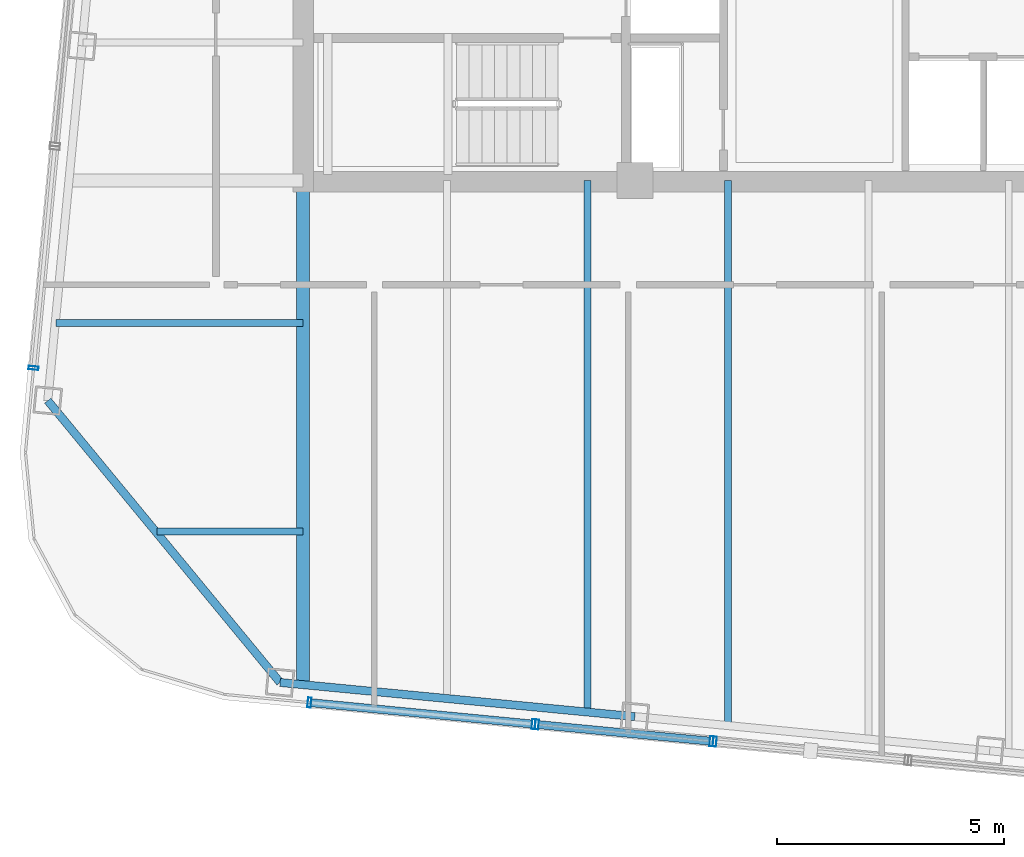
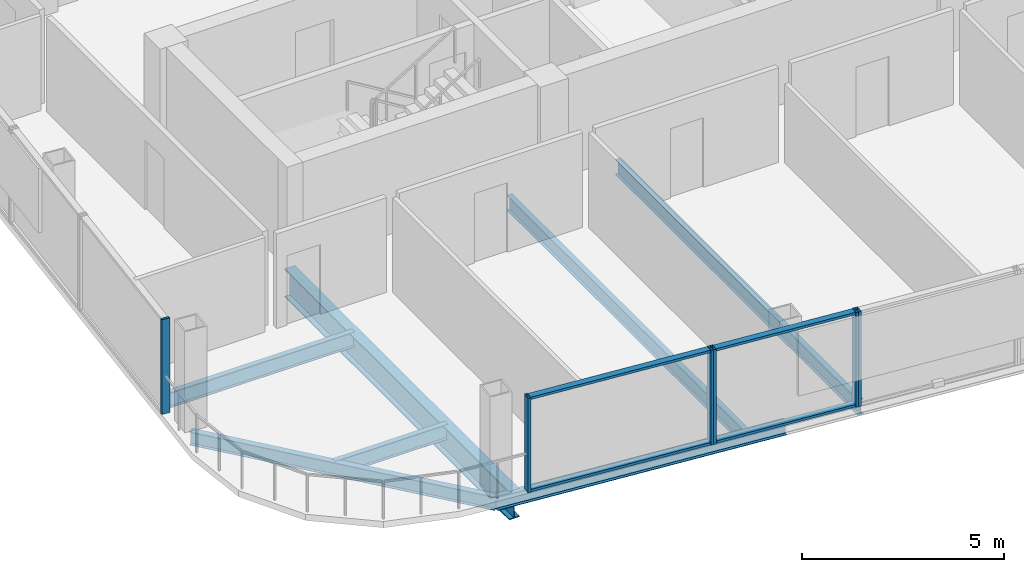
# One storey, part 2 of 22: 10 members, 7 beams, 4 elements without a shape of their own.
"""IFC4 building model written with IfcOpenShell, lengths in metres."""

from ifc_helpers import new_model, si_unit, direction, frame, origin, origin_2d, place, context, subcontext, project, spatial, hollow_rectangle, i_section, extrude, material, layer, layer_set, material_profile, profile_set, type_object, element, aggregate, save


model = new_model("IFC4")

# Units and contexts
model_context = context("Model", 3, precision=1e-05, world=origin(), true_north=direction((0.0, 1.0)))
body_context = subcontext(model_context, "Body", "Model", "MODEL_VIEW")
ifc_project = project(units=[si_unit("LENGTHUNIT", "METRE"), si_unit("AREAUNIT", "SQUARE_METRE"), si_unit("VOLUMEUNIT", "CUBIC_METRE"), si_unit("PLANEANGLEUNIT", "RADIAN"), si_unit("MASSUNIT", "GRAM", prefix="KILO")], contexts=[model_context])

# Site, building, storey
site_placement = place(None, origin())
site = spatial("IfcSite", under=ifc_project, at=site_placement, CompositionType="ELEMENT")
building_placement = place(site_placement, origin())
building = spatial("IfcBuilding", under=site, at=building_placement, Name="Qhalaya Broadcast Tower", CompositionType="ELEMENT")
storey_placement = place(building_placement, frame((0.0, 0.0, 252.0)))
storey = spatial("IfcBuildingStorey", under=building, at=storey_placement, Name="L74", CompositionType="ELEMENT", Elevation=252.0)

# Beams
ifc_material_1 = material(Name="Structural Steel ASTM A992 Grade 50", Category="steel")
ifc_material_profile_1 = material_profile(ifc_material_1, i_section(OverallWidth=0.154052734375, OverallDepth=0.458984375, WebThickness=0.009033203125, FlangeThickness=0.015380859375, at=origin_2d()), Name="W18X46")
ifc_profile_set_1 = profile_set([ifc_material_profile_1], Name="Structural Steel ASTM A992 Grade 50")
beam_type_1 = type_object("IfcBeamType", Name="Composite Floor Joist J04", PredefinedType="JOIST", material=ifc_profile_set_1)
beam_1_placement = place(storey_placement, frame((-3.10009765625, -20.46142578125, -0.41943359375), z_axis=(0.0, 1.0, 0.0), x_axis=(-1.0, 0.0, 0.0)))
element("IfcBeam", 1, at=beam_1_placement, inside=storey, type_object=beam_type_1, Name="L74 J04 L74-JNS2-1", PredefinedType="JOIST", context=body_context, shape_type="SweptSolid", body=[
    extrude(i_section(OverallWidth=0.154052734375, OverallDepth=0.458984375, WebThickness=0.009033203125, FlangeThickness=0.015380859375, at=origin_2d()), origin(), (0.0, 0.0, 1.0), 11.71142578125),
])
beam_2_placement = place(storey_placement, frame((0.0, -20.760009765625, -0.41943359375), z_axis=(0.0, 1.0, 0.0), x_axis=(-1.0, 0.0, 0.0)))
element("IfcBeam", 2, at=beam_2_placement, inside=storey, type_object=beam_type_1, Name="L74 J04 L74-JNS3-1", PredefinedType="JOIST", context=body_context, shape_type="SweptSolid", body=[
    extrude(i_section(OverallWidth=0.154052734375, OverallDepth=0.458984375, WebThickness=0.009033203125, FlangeThickness=0.015380859375, at=origin_2d()), origin(), (0.0, 0.0, 1.0), 12.010009765625),
])
beam_3_placement = place(storey_placement, frame((-12.600830078125, -16.5, -0.41943359375), z_axis=(1.0, 0.0, 0.0), x_axis=(0.0, 1.0, 0.0)))
element("IfcBeam", 3, at=beam_3_placement, inside=storey, type_object=beam_type_1, Name="L74 J04 L74-JWE1W-1", PredefinedType="JOIST", context=body_context, shape_type="SweptSolid", body=[
    extrude(i_section(OverallWidth=0.154052734375, OverallDepth=0.458984375, WebThickness=0.009033203125, FlangeThickness=0.015380859375, at=origin_2d()), origin(), (0.0, 0.0, 1.0), 3.225830078125),
])
beam_4_placement = place(storey_placement, frame((-14.82568359375, -11.89990234375, -0.41943359375), z_axis=(1.0, 0.0, 0.0), x_axis=(0.0, 1.0, 0.0)))
element("IfcBeam", 4, at=beam_4_placement, inside=storey, type_object=beam_type_1, Name="L74 J04 L74-JWE2W-1", PredefinedType="JOIST", context=body_context, shape_type="SweptSolid", body=[
    extrude(i_section(OverallWidth=0.154052734375, OverallDepth=0.458984375, WebThickness=0.009033203125, FlangeThickness=0.015380859375, at=origin_2d()), origin(), (0.0, 0.0, 1.0), 5.45068359375),
])

# Curtain wall, members
ifc_material_2 = material(Name="Fired Architectural Terracotta", Category="masonry")
ifc_layer_1 = layer(ifc_material_2, 0.219970703125, Name="Fired Architectural Terracotta")
ifc_layer_set_1 = layer_set([ifc_layer_1], Name="Fired Architectural Terracotta")
curtain_wall_type_1 = type_object("IfcCurtainWallType", Name="Block-Cap Unitised Terracotta Spandrel Wall CW-07", PredefinedType="NOTDEFINED", material=ifc_layer_set_1)
curtain_wall_1_placement = place(storey_placement, origin())
curtain_wall_1 = element("IfcCurtainWall", 5, at=curtain_wall_1_placement, inside=storey, type_object=curtain_wall_type_1, Name="L74 Unitised Curtain Wall L74-CW-S1", PredefinedType="NOTDEFINED")
ifc_material_3 = material(Name="Anodised Aluminium 6063-T6", Category="aluminium")
ifc_material_profile_2 = material_profile(ifc_material_3, hollow_rectangle(XDim=0.074951171875, YDim=0.219970703125, WallThickness=0.00390625, at=origin_2d()), Name="ALU-MUL 75x220x4")
ifc_profile_set_2 = profile_set([ifc_material_profile_2], Name="Anodised Aluminium 6063-T6")
member_type_1 = type_object("IfcMemberType", Name="Unitised Curtain-Wall Mullion M01", PredefinedType="MULLION", material=ifc_profile_set_2)
member_1_placement = place(storey_placement, frame((-9.235107421875, -20.272705078125, 0.0), z_axis=(0.0, 0.0, 1.0), x_axis=(0.995395145786, -0.09585668336, 0.0)))
member_1 = element("IfcMember", 6, at=member_1_placement, type_object=member_type_1, Name="CW-07 mullion 1", PredefinedType="MULLION", context=body_context, shape_type="SweptSolid", body=[
    extrude(hollow_rectangle(XDim=0.074951171875, YDim=0.219970703125, WallThickness=0.00390625, at=origin_2d()), origin(), (0.0, 0.0, 1.0), 2.860107421875),
])
member_2_placement = place(storey_placement, frame((-4.287841796875, -20.7490234375, 0.0), z_axis=(0.0, 0.0, 1.0), x_axis=(0.995395145786, -0.09585668336, 0.0)))
member_2 = element("IfcMember", 7, at=member_2_placement, type_object=member_type_1, Name="CW-07 mullion 2", PredefinedType="MULLION", context=body_context, shape_type="SweptSolid", body=[
    extrude(hollow_rectangle(XDim=0.074951171875, YDim=0.219970703125, WallThickness=0.00390625, at=origin_2d()), origin(), (0.0, 0.0, 1.0), 2.860107421875),
])

ifc_material_4 = material(Name="Solar-Control Low-E Triple Glazing", Category="glass")
ifc_layer_2 = layer(ifc_material_4, 0.219970703125, Name="Solar-Control Low-E Triple Glazing")
ifc_layer_set_2 = layer_set([ifc_layer_2], Name="Solar-Control Low-E Triple Glazing")
curtain_wall_type_2 = type_object("IfcCurtainWallType", Name="High-Altitude Upper-Shaft Triple Low-E Curtain Wall CW-04", PredefinedType="NOTDEFINED", material=ifc_layer_set_2)
curtain_wall_2_placement = place(storey_placement, origin())
curtain_wall_2 = element("IfcCurtainWall", 8, at=curtain_wall_2_placement, inside=storey, type_object=curtain_wall_type_2, Name="L74 Unitised Curtain Wall L74-CW-S2", PredefinedType="NOTDEFINED")
member_3_placement = place(storey_placement, frame((-4.21337890625, -20.756103515625, 0.0), z_axis=(0.0, 0.0, 1.0), x_axis=(0.995396567507, -0.09584191878, 0.0)))
member_3 = element("IfcMember", 9, at=member_3_placement, type_object=member_type_1, Name="CW-04 mullion 1", PredefinedType="MULLION", context=body_context, shape_type="SweptSolid", body=[
    extrude(hollow_rectangle(XDim=0.074951171875, YDim=0.219970703125, WallThickness=0.00390625, at=origin_2d()), origin(), (0.0, 0.0, 1.0), 2.860107421875),
])
member_4_placement = place(storey_placement, frame((-0.363037109375, -21.126953125, 0.0), z_axis=(0.0, 0.0, 1.0), x_axis=(0.995396567507, -0.09584191878, 0.0)))
member_4 = element("IfcMember", 10, at=member_4_placement, type_object=member_type_1, Name="CW-04 mullion 2", PredefinedType="MULLION", context=body_context, shape_type="SweptSolid", body=[
    extrude(hollow_rectangle(XDim=0.074951171875, YDim=0.219970703125, WallThickness=0.00390625, at=origin_2d()), origin(), (0.0, 0.0, 1.0), 2.860107421875),
])

# Curtain wall, member
curtain_wall_3_placement = place(storey_placement, origin())
curtain_wall_3 = element("IfcCurtainWall", 11, at=curtain_wall_3_placement, inside=storey, type_object=curtain_wall_type_1, Name="L74 Unitised Curtain Wall L74-CW-S3", PredefinedType="NOTDEFINED")
member_5_placement = place(storey_placement, frame((-0.28857421875, -21.134033203125, 0.0), z_axis=(0.0, 0.0, 1.0), x_axis=(0.995397029971, -0.095837115594, 0.0)))
member_5 = element("IfcMember", 12, at=member_5_placement, type_object=member_type_1, Name="CW-07 mullion 1", PredefinedType="MULLION", context=body_context, shape_type="SweptSolid", body=[
    extrude(hollow_rectangle(XDim=0.074951171875, YDim=0.219970703125, WallThickness=0.00390625, at=origin_2d()), origin(), (0.0, 0.0, 1.0), 2.860107421875),
])
aggregate(curtain_wall_3, [member_5])

curtain_wall_4_placement = place(storey_placement, origin())
curtain_wall_4 = element("IfcCurtainWall", 13, at=curtain_wall_4_placement, inside=storey, type_object=curtain_wall_type_1, Name="L74 Unitised Curtain Wall L74-CW-W5", PredefinedType="NOTDEFINED")
member_6_placement = place(storey_placement, frame((-15.32275390625, -12.887451171875, 0.0), z_axis=(0.0, 0.0, 1.0), x_axis=(-0.095840154905, -0.99539673734, 0.0)))
member_6 = element("IfcMember", 14, at=member_6_placement, type_object=member_type_1, Name="CW-07 mullion 2", PredefinedType="MULLION", context=body_context, shape_type="SweptSolid", body=[
    extrude(hollow_rectangle(XDim=0.074951171875, YDim=0.219970703125, WallThickness=0.00390625, at=origin_2d()), origin(), (0.0, 0.0, 1.0), 2.860107421875),
])
aggregate(curtain_wall_4, [member_6])

# Member
ifc_material_profile_3 = material_profile(ifc_material_3, hollow_rectangle(XDim=0.074951171875, YDim=0.179931640625, WallThickness=0.00390625, at=origin_2d()), Name="ALU-TRN 75x180x4")
ifc_profile_set_3 = profile_set([ifc_material_profile_3], Name="Anodised Aluminium 6063-T6")
member_type_2 = type_object("IfcMemberType", Name="Unitised Curtain-Wall Transom T01", PredefinedType="USERDEFINED", material=ifc_profile_set_3)
member_7_placement = place(storey_placement, frame((-9.19775390625, -20.276123046875, 0.03759765625), z_axis=(0.995394946025, -0.095858757704, 0.0), x_axis=(0.0, 0.0, 1.0)))
member_7 = element("IfcMember", 15, at=member_7_placement, type_object=member_type_2, Name="CW-07 transom 1.1", ObjectType="TRANSOM", PredefinedType="USERDEFINED", context=body_context, shape_type="SweptSolid", body=[
    extrude(hollow_rectangle(XDim=0.074951171875, YDim=0.179931640625, WallThickness=0.00390625, at=origin_2d()), origin(), (0.0, 0.0, 1.0), 4.89501953125),
])

member_8_placement = place(storey_placement, frame((-9.19775390625, -20.276123046875, 2.822509765625), z_axis=(0.995394946025, -0.095858757704, 0.0), x_axis=(0.0, 0.0, 1.0)))
member_8 = element("IfcMember", 16, at=member_8_placement, type_object=member_type_2, Name="CW-07 transom 1.2", ObjectType="TRANSOM", PredefinedType="USERDEFINED", context=body_context, shape_type="SweptSolid", body=[
    extrude(hollow_rectangle(XDim=0.074951171875, YDim=0.179931640625, WallThickness=0.00390625, at=origin_2d()), origin(), (0.0, 0.0, 1.0), 4.89501953125),
])

aggregate(curtain_wall_1, [member_1, member_2, member_7, member_8])

member_9_placement = place(storey_placement, frame((-4.176025390625, -20.759765625, 0.03759765625), z_axis=(0.995396874616, -0.09583872915, 0.0), x_axis=(0.0, 0.0, 1.0)))
member_9 = element("IfcMember", 17, at=member_9_placement, type_object=member_type_2, Name="CW-04 transom 1.1", ObjectType="TRANSOM", PredefinedType="USERDEFINED", context=body_context, shape_type="SweptSolid", body=[
    extrude(hollow_rectangle(XDim=0.074951171875, YDim=0.179931640625, WallThickness=0.00390625, at=origin_2d()), origin(), (0.0, 0.0, 1.0), 3.793212890625),
])

member_10_placement = place(storey_placement, frame((-4.176025390625, -20.759765625, 2.822509765625), z_axis=(0.995396874616, -0.09583872915, 0.0), x_axis=(0.0, 0.0, 1.0)))
member_10 = element("IfcMember", 18, at=member_10_placement, type_object=member_type_2, Name="CW-04 transom 1.2", ObjectType="TRANSOM", PredefinedType="USERDEFINED", context=body_context, shape_type="SweptSolid", body=[
    extrude(hollow_rectangle(XDim=0.074951171875, YDim=0.179931640625, WallThickness=0.00390625, at=origin_2d()), origin(), (0.0, 0.0, 1.0), 3.793212890625),
])

aggregate(curtain_wall_2, [member_3, member_4, member_9, member_10])

# Beams
ifc_material_profile_4 = material_profile(ifc_material_1, i_section(OverallWidth=0.2919921875, OverallDepth=0.85888671875, WebThickness=0.01708984375, FlangeThickness=0.031005859375, at=origin_2d()), Name="W33X169")
ifc_profile_set_4 = profile_set([ifc_material_profile_4], Name="Structural Steel ASTM A992 Grade 50")
beam_type_2 = type_object("IfcBeamType", Name="Upper Block Primary Girder PG4", PredefinedType="USERDEFINED", material=ifc_profile_set_4)
beam_5_placement = place(storey_placement, frame((-9.375, -19.857421875, -0.619384765625), z_axis=(0.0, 1.0, 0.0), x_axis=(-1.0, 0.0, 0.0)))
element("IfcBeam", 19, at=beam_5_placement, inside=storey, type_object=beam_type_2, Name="L74 PG4 L74-PGXS1-1", ObjectType="GIRDER", PredefinedType="USERDEFINED", context=body_context, shape_type="SweptSolid", body=[
    extrude(i_section(OverallWidth=0.2919921875, OverallDepth=0.85888671875, WebThickness=0.01708984375, FlangeThickness=0.031005859375, at=origin_2d()), origin(), (0.0, 0.0, 1.0), 11.107421875),
])
ifc_material_profile_5 = material_profile(ifc_material_1, i_section(OverallWidth=0.177978515625, OverallDepth=0.406005859375, WebThickness=0.0078125, FlangeThickness=0.0126953125, at=origin_2d()), Name="W16X40")
ifc_profile_set_5 = profile_set([ifc_material_profile_5], Name="Structural Steel ASTM A992 Grade 50")
beam_type_3 = type_object("IfcBeamType", Name="Upper Perimeter Spandrel Beam SP2", PredefinedType="SPANDREL", material=ifc_profile_set_5)
beam_6_placement = place(storey_placement, frame((-9.883056640625, -19.82861328125, -0.39306640625), z_axis=(0.995397308407, -0.095834223619, 0.0), x_axis=(0.095834223619, 0.995397308407, 0.0)))
element("IfcBeam", 20, at=beam_6_placement, inside=storey, type_object=beam_type_3, Name="L74 SP2 L74-SPR-01", PredefinedType="SPANDREL", context=body_context, shape_type="SweptSolid", body=[
    extrude(i_section(OverallWidth=0.177978515625, OverallDepth=0.406005859375, WebThickness=0.0078125, FlangeThickness=0.0126953125, at=origin_2d()), origin(), (0.0, 0.0, 1.0), 7.86669921875),
])
beam_7_placement = place(storey_placement, frame((-15.010498046875, -13.6083984375, -0.39306640625), z_axis=(0.636070241972, -0.771631160126, 0.0), x_axis=(0.771631160126, 0.636070241972, 0.0)))
element("IfcBeam", 21, at=beam_7_placement, inside=storey, type_object=beam_type_3, Name="L74 SP2 L74-SPR-16", PredefinedType="SPANDREL", context=body_context, shape_type="SweptSolid", body=[
    extrude(i_section(OverallWidth=0.177978515625, OverallDepth=0.406005859375, WebThickness=0.0078125, FlangeThickness=0.0126953125, at=origin_2d()), origin(), (0.0, 0.0, 1.0), 8.06103515625),
])

save(model, "model.ifc")
